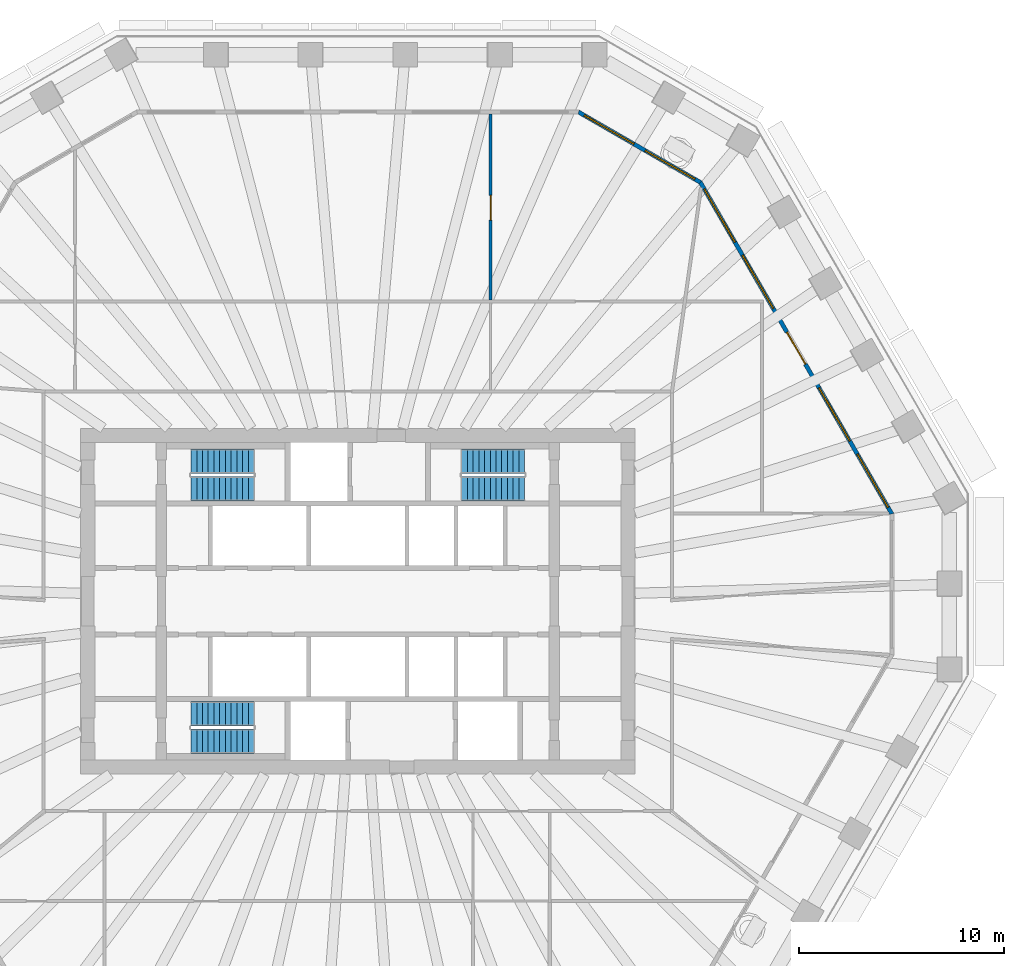
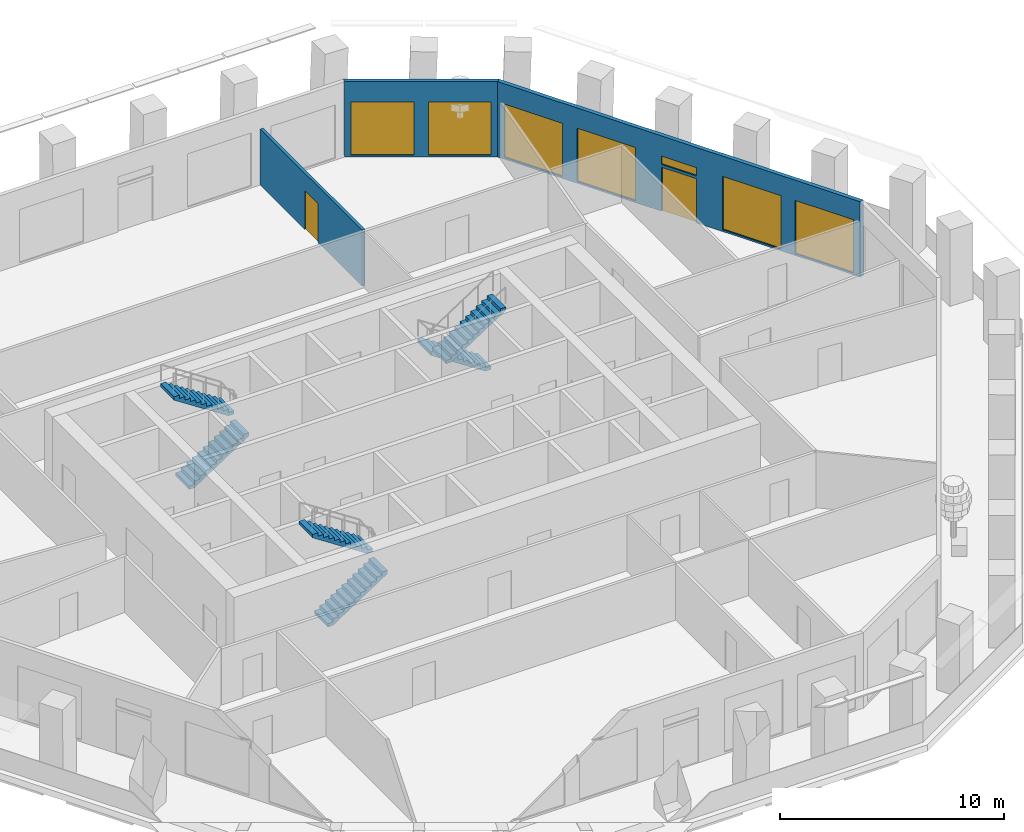
# One storey, part 8 of 12: 7 windows, 6 stair flights, 3 walls, 2 doors, 9 openings, 3 elements without a shape of their own.
"""IFC4 building model written with IfcOpenShell, lengths in metres."""

import ifcopenshell
import ifcopenshell.guid

model = None  # the IFC model being written
_history = None  # IfcOwnerHistory: only IFC2X3 demands one
_inside = {}  # id of a spatial element -> (the spatial element, [elements in it])
_under = {}  # id of a project, library or spatial element -> (it, [spatial elements below it])
_declared = {}  # id of a project -> (the project, [libraries it declares])
_typed = {}  # id of a type object -> (the type object, [elements of that type])
_made_of = {}  # id of a material, layer set ... -> (it, [elements and type objects made of it])


def new_model(schema):
    """Start an empty IFC model of exactly this schema.

    Asked for "IFC4X3", IfcOpenShell would pick the latest addendum, in which some entities
    have other attributes; the version numbers below select the first issue.
    IFC2X3 requires an IfcOwnerHistory on every rooted entity: one is made here for all.
    """
    global model, _history
    if schema == "IFC4X3":
        model = ifcopenshell.file(schema_version=(4, 3, 0, 0))
    else:
        model = ifcopenshell.file(schema=schema)
    _inside.clear()
    _under.clear()
    _declared.clear()
    _typed.clear()
    _made_of.clear()
    _history = None
    if model.schema == "IFC2X3":
        org = make("IfcOrganization", Name="unknown")
        user = make(
            "IfcPersonAndOrganization",
            ThePerson=make("IfcPerson", FamilyName="unknown"),
            TheOrganization=org,
        )
        app = make(
            "IfcApplication",
            ApplicationDeveloper=org,
            Version="unknown",
            ApplicationFullName="unknown",
            ApplicationIdentifier="unknown",
        )
        _history = make(
            "IfcOwnerHistory",
            OwningUser=user,
            OwningApplication=app,
            ChangeAction="ADDED",
            CreationDate=0,
        )
    return model


def make(cls, **values):
    """One entity of the class cls with the attributes given. An attribute that is None is left unset."""
    return model.create_entity(
        cls, **{name: value for name, value in values.items() if value is not None}
    )


def rooted(cls, **values):
    """An entity with a GlobalId (a new one), such as an element, a storey or a relation."""
    return make(cls, GlobalId=ifcopenshell.guid.new(), OwnerHistory=_history, **values)


def si_unit(unit_type, name, prefix=None):
    """IfcSIUnit, for example si_unit("LENGTHUNIT", "METRE", prefix="MILLI")."""
    return make("IfcSIUnit", UnitType=unit_type, Prefix=prefix, Name=name)


def assignment(units):
    """IfcUnitAssignment: the units of a project."""
    return None if units is None else make("IfcUnitAssignment", Units=units)


def point(xyz):
    """IfcCartesianPoint."""
    return None if xyz is None else make("IfcCartesianPoint", Coordinates=xyz)


def direction(xyz):
    """IfcDirection."""
    return None if xyz is None else make("IfcDirection", DirectionRatios=xyz)


def frame(location, z_axis=None, x_axis=None):
    """IfcAxis2Placement3D, a coordinate frame: its origin and axes. An axis left out is left unset."""
    return make(
        "IfcAxis2Placement3D",
        Location=point(location),
        Axis=direction(z_axis),
        RefDirection=direction(x_axis),
    )


def frame_2d(location, x_axis=None):
    """IfcAxis2Placement2D, a coordinate frame in the plane: its origin and x axis."""
    return make(
        "IfcAxis2Placement2D", Location=point(location), RefDirection=direction(x_axis)
    )


def origin():
    """The frame at (0, 0, 0) with its axes left unset."""
    return frame((0.0, 0.0, 0.0))


def place(relative_to, where):
    """IfcLocalPlacement: puts the frame where relative to a parent placement (None: the world)."""
    return make(
        "IfcLocalPlacement", PlacementRelTo=relative_to, RelativePlacement=where
    )


def context(
    kind, dimensions, precision=None, world=None, true_north=None, identifier=None
):
    """IfcGeometricRepresentationContext, for example the 3D "Model" context."""
    return make(
        "IfcGeometricRepresentationContext",
        ContextIdentifier=identifier,
        ContextType=kind,
        CoordinateSpaceDimension=dimensions,
        Precision=precision,
        WorldCoordinateSystem=world,
        TrueNorth=true_north,
    )


def subcontext(parent, identifier, kind, view, scale=None):
    """IfcGeometricRepresentationSubContext, for example "Body" below "Model"."""
    return make(
        "IfcGeometricRepresentationSubContext",
        ContextIdentifier=identifier,
        ContextType=kind,
        ParentContext=parent,
        TargetScale=scale,
        TargetView=view,
    )


def project(units=None, contexts=None):
    """IfcProject with its units and contexts."""
    return rooted(
        "IfcProject",
        Name="project",
        RepresentationContexts=contexts,
        UnitsInContext=assignment(units),
    )


def spatial(cls, under=None, at=None, **own):
    """A site, building, storey or space (cls), placed at a placement, below another one or the project."""
    s = rooted(cls, ObjectPlacement=at, **own)
    if under is not None:
        _under.setdefault(under.id(), (under, []))[1].append(s)
    return s


def polyline(points):
    """IfcPolyline through the points."""
    return make("IfcPolyline", Points=[point(p) for p in points])


def profile(cls, at=None, kind="AREA", **sizes):
    """A parametric profile (cls). Its sizes go by their IFC names, for example OverallWidth=200.0."""
    return make(cls, ProfileType=kind, Position=at, **sizes)


def rectangle(**sizes):
    """IfcRectangleProfileDef."""
    return profile("IfcRectangleProfileDef", **sizes)


def outline(outer, holes=None, kind="AREA"):
    """IfcArbitraryClosedProfileDef: a profile drawn as a closed curve; with holes, ...WithVoids."""
    if holes is None:
        return make("IfcArbitraryClosedProfileDef", ProfileType=kind, OuterCurve=outer)
    return make(
        "IfcArbitraryProfileDefWithVoids",
        ProfileType=kind,
        OuterCurve=outer,
        InnerCurves=holes,
    )


def extrude(swept, where, along, depth):
    """IfcExtrudedAreaSolid: the profile swept, set in the frame where, extruded along a direction by depth."""
    return make(
        "IfcExtrudedAreaSolid",
        SweptArea=swept,
        Position=where,
        ExtrudedDirection=direction(along),
        Depth=depth,
    )


def shape(context_of_items, identifier, shape_type, items):
    """IfcShapeRepresentation: the items that make up one representation, for example the "Body"."""
    return make(
        "IfcShapeRepresentation",
        ContextOfItems=context_of_items,
        RepresentationIdentifier=identifier,
        RepresentationType=shape_type,
        Items=items,
    )


def material(Name=None, Category=None):
    """IfcMaterial."""
    return make("IfcMaterial", Name=Name, Category=Category)


def layer(
    of_material, thickness, ventilated=None, Name=None, Category=None, Priority=None
):
    """IfcMaterialLayer: one layer of a wall or slab, of a material (None: an air gap)."""
    return make(
        "IfcMaterialLayer",
        Material=of_material,
        LayerThickness=thickness,
        IsVentilated=ventilated,
        Name=Name,
        Category=Category,
        Priority=Priority,
    )


def layer_set(layers, Name=None):
    """IfcMaterialLayerSet."""
    return make("IfcMaterialLayerSet", MaterialLayers=layers, LayerSetName=Name)


def made_of(thing, what):
    """Note that an element or type object is made of a material, layer set ...; save() writes the relation."""
    if what is not None:
        _made_of.setdefault(what.id(), (what, []))[1].append(thing)
    return thing


def type_object(cls, material=None, **own):
    """A type object (cls), such as IfcWallType, which elements share."""
    return made_of(rooted(cls, **own), material)


def element(
    cls,
    number,
    at=None,
    inside=None,
    cuts=None,
    type_object=None,
    material=None,
    context=None,
    identifier="Body",
    shape_type=None,
    held_by="IfcProductDefinitionShape",
    body=None,
    shapes=None,
    **own,
):
    """One element of the class cls, such as IfcWall. Its Tag is "e" and its number.

    at: its placement. inside: the storey or other place that contains it. cuts: it is an
    opening in that element (IfcRelVoidsElement). A single representation is given by context,
    identifier, shape_type and body (its items); several are given by shapes. held_by: the class
    of the entity that holds the representations. save() writes the other relations.
    """
    e = rooted(cls, Tag="e%d" % number, ObjectPlacement=at, **own)
    if body is not None:
        shapes = [shape(context, identifier, shape_type, body)]
    if shapes is not None:
        e.Representation = make(held_by, Representations=shapes)
    if inside is not None:
        _inside.setdefault(inside.id(), (inside, []))[1].append(e)
    if cuts is not None:
        rooted(
            "IfcRelVoidsElement", RelatingBuildingElement=cuts, RelatedOpeningElement=e
        )
    if type_object is not None:
        _typed.setdefault(type_object.id(), (type_object, []))[1].append(e)
    return made_of(e, material)


def fill(opening, filler):
    """IfcRelFillsElement: the door or window that sits in an opening."""
    return rooted(
        "IfcRelFillsElement",
        RelatingOpeningElement=opening,
        RelatedBuildingElement=filler,
    )


def aggregate(whole, parts):
    """IfcRelAggregates: a whole, such as a stair, and the parts it consists of."""
    return rooted("IfcRelAggregates", RelatingObject=whole, RelatedObjects=parts)


def save(model, path):
    """Write the relations noted so far, then the file.

    IfcRelAggregates (storeys below a building ...), IfcRelContainedInSpatialStructure (elements
    in a storey), IfcRelDefinesByType, IfcRelAssociatesMaterial and IfcRelDeclares: one each for
    every whole, place, type object, material and project.
    """
    for whole, parts in _under.values():
        aggregate(whole, parts)
    for where, things in _inside.values():
        rooted(
            "IfcRelContainedInSpatialStructure",
            RelatedElements=things,
            RelatingStructure=where,
        )
    for kind, things in _typed.values():
        rooted("IfcRelDefinesByType", RelatedObjects=things, RelatingType=kind)
    for what, things in _made_of.values():
        rooted("IfcRelAssociatesMaterial", RelatedObjects=things, RelatingMaterial=what)
    for by, libraries in _declared.values():
        rooted("IfcRelDeclares", RelatingContext=by, RelatedDefinitions=libraries)
    model.write(path)


model = new_model("IFC4")

# Units and contexts
model_context = context("Model", 3, precision=1e-05, world=origin(), true_north=direction((0.0, 1.0)))
body_context = subcontext(model_context, "Body", "Model", "MODEL_VIEW")
ifc_project = project(units=[si_unit("LENGTHUNIT", "METRE"), si_unit("AREAUNIT", "SQUARE_METRE"), si_unit("VOLUMEUNIT", "CUBIC_METRE"), si_unit("PLANEANGLEUNIT", "RADIAN"), si_unit("MASSUNIT", "GRAM", prefix="KILO")], contexts=[model_context])

# Site, building, storey
site_placement = place(None, origin())
site = spatial("IfcSite", under=ifc_project, at=site_placement, CompositionType="ELEMENT")
building_placement = place(site_placement, origin())
building = spatial("IfcBuilding", under=site, at=building_placement, Name="Frailejon Research Tower", CompositionType="ELEMENT")
storey_placement = place(building_placement, frame((0.0, 0.0, 171.60009765625)))
storey = spatial("IfcBuildingStorey", under=building, at=storey_placement, Name="L37", CompositionType="ELEMENT", Elevation=171.60009765625)

# Wall, opening, door
ifc_material_1 = material(Name="Gypsum board and masonry partition", Category="masonry")
ifc_layer_1 = layer(ifc_material_1, 0.14990234375)
ifc_layer_set_1 = layer_set([ifc_layer_1], Name="Laboratory partition, blockwork 150")
wall_type_1 = type_object("IfcWallType", Name="Laboratory partition, blockwork 150", PredefinedType="PARTITIONING", material=ifc_layer_set_1)
wall_1_placement = place(storey_placement, frame((6.488525390625, 14.72509765625, 0.0), z_axis=(0.0, 0.0, 1.0), x_axis=(0.0, 1.0, 0.0)))
wall_1 = element("IfcWall", 1, at=wall_1_placement, inside=storey, type_object=wall_type_1, Name="T:IW:L37:015", PredefinedType="PARTITIONING", context=body_context, shape_type="SweptSolid", body=[
    extrude(rectangle(XDim=9.074951171875, YDim=0.14990234375, at=frame_2d((4.53759765625, 0.0))), origin(), (0.0, 0.0, 1.0), 3.0498046875),
])
opening_1_placement = place(wall_1_placement, frame((3.89990234375, 0.0, 0.0)))
opening_1 = element("IfcOpeningElement", 2, at=opening_1_placement, cuts=wall_1, Name="Opening D1808", PredefinedType="OPENING", context=body_context, shape_type="SweptSolid", body=[
    extrude(rectangle(XDim=1.199951171875, YDim=2.10009765625, at=frame_2d((0.60009765625, 1.050048828125))), frame((0.0, 0.0849609375, 0.0), z_axis=(0.0, -1.0, 0.0), x_axis=(1.0, 0.0, 0.0)), (0.0, 0.0, 1.0), 0.169921875),
])
ifc_material_2 = material(Name="Timber door leaf", Category="wood")
door_type_1 = type_object("IfcDoorType", Name="Door laboratory, timber, vision panel 1200", OperationType="NOTDEFINED", PredefinedType="DOOR", material=ifc_material_2)
door_1_placement = place(opening_1_placement, origin())
door_1 = element("IfcDoor", 3, at=door_1_placement, inside=storey, type_object=door_type_1, Name="D1808", OperationType="DOUBLE_DOOR_SINGLE_SWING", OverallHeight=2.10009765625, OverallWidth=1.199951171875, PredefinedType="DOOR", context=body_context, shape_type="SweptSolid", body=[
    extrude(rectangle(XDim=1.199951171875, YDim=2.10009765625, at=frame_2d((0.60009765625, 1.050048828125))), frame((0.0, 0.02490234375, 0.0), z_axis=(0.0, -1.0, 0.0), x_axis=(1.0, 0.0, 0.0)), (0.0, 0.0, 1.0), 0.050048828125),
])
fill(opening_1, door_1)

# Wall, openings, door, windows
ifc_material_3 = material(Name="Concrete C40/50 precast window wall panel", Category="concrete")
ifc_layer_2 = layer(ifc_material_3, 0.199951171875)
ifc_layer_set_2 = layer_set([ifc_layer_2], Name="Window wall 200")
wall_type_2 = type_object("IfcWallType", Name="Window wall 200", PredefinedType="SOLIDWALL", material=ifc_layer_set_2)
wall_2_placement = place(storey_placement, frame((26.091796875, 4.26708984375, 0.0), z_axis=(0.0, 0.0, 1.0), x_axis=(-0.500003086107, 0.866023622012, 0.0)))
wall_2 = element("IfcWall", 4, at=wall_2_placement, inside=storey, type_object=wall_type_2, Name="Exterior wall L37", PredefinedType="SOLIDWALL", context=body_context, shape_type="SweptSolid", body=[
    extrude(outline(polyline([(-0.02685546875, -0.10009765625), (1.01513671875, -0.10009765625), (2.05712890625, -0.10009765625), (3.098876953125, -0.10009765625), (4.140869140625, -0.10009765625), (5.182861328125, -0.10009765625), (6.224853515625, -0.10009765625), (7.2666015625, -0.10009765625), (8.30859375, -0.10009765625), (9.3505859375, -0.10009765625), (10.392578125, -0.10009765625), (11.4345703125, -0.10009765625), (12.476318359375, -0.10009765625), (13.518310546875, -0.10009765625), (14.560302734375, -0.10009765625), (15.602294921875, -0.10009765625), (16.64404296875, -0.10009765625), (17.68603515625, -0.10009765625), (18.72802734375, -0.10009765625), (18.67431640625, 0.10009765625), (17.638427734375, 0.10009765625), (16.602294921875, 0.10009765625), (15.56640625, 0.10009765625), (14.530517578125, 0.10009765625), (13.494384765625, 0.10009765625), (12.45849609375, 0.10009765625), (11.422607421875, 0.10009765625), (10.386474609375, 0.10009765625), (9.3505859375, 0.10009765625), (8.314697265625, 0.10009765625), (7.278564453125, 0.10009765625), (6.24267578125, 0.10009765625), (5.206787109375, 0.10009765625), (4.170654296875, 0.10009765625), (3.134765625, 0.10009765625), (2.098876953125, 0.10009765625), (1.062744140625, 0.10009765625), (0.02685546875, 0.10009765625), (-0.02685546875, -0.10009765625)])), origin(), (0.0, 0.0, 1.0), 4.099853515625),
])
opening_2_placement = place(wall_2_placement, frame((0.3701171875, 0.0, 0.10009765625)))
opening_2 = element("IfcOpeningElement", 5, at=opening_2_placement, cuts=wall_2, Name="Opening W4", PredefinedType="OPENING", context=body_context, shape_type="SweptSolid", body=[
    extrude(rectangle(XDim=3.0, YDim=2.89990234375, at=frame_2d((1.5, 1.449951171875))), frame((0.0, 0.10986328125, 0.0), z_axis=(0.0, -1.0, 0.0), x_axis=(1.0, 0.0, 0.0)), (0.0, 0.0, 1.0), 0.219970703125),
])
opening_3_placement = place(wall_2_placement, frame((4.1103515625, 0.0, 0.10009765625)))
opening_3 = element("IfcOpeningElement", 6, at=opening_3_placement, cuts=wall_2, Name="Opening W4", PredefinedType="OPENING", context=body_context, shape_type="SweptSolid", body=[
    extrude(rectangle(XDim=3.0, YDim=2.89990234375, at=frame_2d((1.5, 1.449951171875))), frame((0.0, 0.10986328125, 0.0), z_axis=(0.0, -1.0, 0.0), x_axis=(1.0, 0.0, 0.0)), (0.0, 0.0, 1.0), 0.219970703125),
])
opening_4_placement = place(wall_2_placement, frame((8.45068359375, 0.0, 0.0)))
opening_4 = element("IfcOpeningElement", 7, at=opening_4_placement, cuts=wall_2, Name="Opening LG37-1", PredefinedType="OPENING", context=body_context, shape_type="SweptSolid", body=[
    extrude(rectangle(XDim=1.800048828125, YDim=2.39990234375, at=frame_2d((0.89990234375, 1.199951171875))), frame((0.0, 0.10986328125, 0.0), z_axis=(0.0, -1.0, 0.0), x_axis=(1.0, 0.0, 0.0)), (0.0, 0.0, 1.0), 0.219970703125),
])
opening_5_placement = place(wall_2_placement, frame((8.45068359375, 0.0, 2.550048828125)))
opening_5 = element("IfcOpeningElement", 8, at=opening_5_placement, cuts=wall_2, Name="Opening W1", PredefinedType="OPENING", context=body_context, shape_type="SweptSolid", body=[
    extrude(rectangle(XDim=1.800048828125, YDim=0.449951171875, at=frame_2d((0.89990234375, 0.22509765625))), frame((0.0, 0.10986328125, 0.0), z_axis=(0.0, -1.0, 0.0), x_axis=(1.0, 0.0, 0.0)), (0.0, 0.0, 1.0), 0.219970703125),
])
opening_6_placement = place(wall_2_placement, frame((11.5908203125, 0.0, 0.10009765625)))
opening_6 = element("IfcOpeningElement", 9, at=opening_6_placement, cuts=wall_2, Name="Opening W4", PredefinedType="OPENING", context=body_context, shape_type="SweptSolid", body=[
    extrude(rectangle(XDim=3.0, YDim=2.89990234375, at=frame_2d((1.5, 1.449951171875))), frame((0.0, 0.10986328125, 0.0), z_axis=(0.0, -1.0, 0.0), x_axis=(1.0, 0.0, 0.0)), (0.0, 0.0, 1.0), 0.219970703125),
])
opening_7_placement = place(wall_2_placement, frame((15.3310546875, 0.0, 0.10009765625)))
opening_7 = element("IfcOpeningElement", 10, at=opening_7_placement, cuts=wall_2, Name="Opening W4", PredefinedType="OPENING", context=body_context, shape_type="SweptSolid", body=[
    extrude(rectangle(XDim=3.0, YDim=2.89990234375, at=frame_2d((1.5, 1.449951171875))), frame((0.0, 0.10986328125, 0.0), z_axis=(0.0, -1.0, 0.0), x_axis=(1.0, 0.0, 0.0)), (0.0, 0.0, 1.0), 0.219970703125),
])
ifc_material_4 = material(Name="Aluminium framed glazed door leaf", Category="aluminium")
door_type_2 = type_object("IfcDoorType", Name="Loggia door 1800x2400", OperationType="DOUBLE_DOOR_SINGLE_SWING", PredefinedType="DOOR", material=ifc_material_4)
door_2_placement = place(opening_4_placement, origin())
door_2 = element("IfcDoor", 11, at=door_2_placement, inside=storey, type_object=door_type_2, Name="Door LG37-1", OperationType="DOUBLE_DOOR_SINGLE_SWING", OverallHeight=2.39990234375, OverallWidth=1.800048828125, PredefinedType="DOOR", context=body_context, shape_type="SweptSolid", body=[
    extrude(rectangle(XDim=1.800048828125, YDim=2.39990234375, at=frame_2d((0.89990234375, 1.199951171875))), frame((0.0, 0.02490234375, 0.0), z_axis=(0.0, -1.0, 0.0), x_axis=(1.0, 0.0, 0.0)), (0.0, 0.0, 1.0), 0.050048828125),
])
fill(opening_4, door_2)
ifc_material_5 = material(Name="Aluminium framed double glazing", Category="aluminium")
window_type_1 = type_object("IfcWindowType", Name="Window 1800x450", PartitioningType="SINGLE_PANEL", PredefinedType="WINDOW", material=ifc_material_5)
window_1_placement = place(opening_5_placement, origin())
window_1 = element("IfcWindow", 12, at=window_1_placement, inside=storey, type_object=window_type_1, Name="Window L37", OverallHeight=0.449951171875, OverallWidth=1.800048828125, PartitioningType="SINGLE_PANEL", PredefinedType="WINDOW", context=body_context, shape_type="SweptSolid", body=[
    extrude(rectangle(XDim=1.800048828125, YDim=0.449951171875, at=frame_2d((0.89990234375, 0.22509765625))), frame((0.0, 0.030029296875, 0.0), z_axis=(0.0, -1.0, 0.0), x_axis=(1.0, 0.0, 0.0)), (0.0, 0.0, 1.0), 0.06005859375),
])
fill(opening_5, window_1)
ifc_material_6 = material(Name="Aluminium framed double glazing", Category="aluminium")
window_type_2 = type_object("IfcWindowType", Name="Window 3000x2900", PartitioningType="SINGLE_PANEL", PredefinedType="WINDOW", material=ifc_material_6)
window_2_placement = place(opening_2_placement, origin())
window_2 = element("IfcWindow", 13, at=window_2_placement, inside=storey, type_object=window_type_2, Name="Window L37", OverallHeight=2.89990234375, OverallWidth=3.0, PartitioningType="SINGLE_PANEL", PredefinedType="WINDOW", context=body_context, shape_type="SweptSolid", body=[
    extrude(rectangle(XDim=3.0, YDim=2.89990234375, at=frame_2d((1.5, 1.449951171875))), frame((0.0, 0.030029296875, 0.0), z_axis=(0.0, -1.0, 0.0), x_axis=(1.0, 0.0, 0.0)), (0.0, 0.0, 1.0), 0.06005859375),
])
fill(opening_2, window_2)
window_3_placement = place(opening_3_placement, origin())
window_3 = element("IfcWindow", 14, at=window_3_placement, inside=storey, type_object=window_type_2, Name="Window L37", OverallHeight=2.89990234375, OverallWidth=3.0, PartitioningType="SINGLE_PANEL", PredefinedType="WINDOW", context=body_context, shape_type="SweptSolid", body=[
    extrude(rectangle(XDim=3.0, YDim=2.89990234375, at=frame_2d((1.5, 1.449951171875))), frame((0.0, 0.030029296875, 0.0), z_axis=(0.0, -1.0, 0.0), x_axis=(1.0, 0.0, 0.0)), (0.0, 0.0, 1.0), 0.06005859375),
])
fill(opening_3, window_3)
window_4_placement = place(opening_6_placement, origin())
window_4 = element("IfcWindow", 15, at=window_4_placement, inside=storey, type_object=window_type_2, Name="Window L37", OverallHeight=2.89990234375, OverallWidth=3.0, PartitioningType="SINGLE_PANEL", PredefinedType="WINDOW", context=body_context, shape_type="SweptSolid", body=[
    extrude(rectangle(XDim=3.0, YDim=2.89990234375, at=frame_2d((1.5, 1.449951171875))), frame((0.0, 0.030029296875, 0.0), z_axis=(0.0, -1.0, 0.0), x_axis=(1.0, 0.0, 0.0)), (0.0, 0.0, 1.0), 0.06005859375),
])
fill(opening_6, window_4)
window_5_placement = place(opening_7_placement, origin())
window_5 = element("IfcWindow", 16, at=window_5_placement, inside=storey, type_object=window_type_2, Name="Window L37", OverallHeight=2.89990234375, OverallWidth=3.0, PartitioningType="SINGLE_PANEL", PredefinedType="WINDOW", context=body_context, shape_type="SweptSolid", body=[
    extrude(rectangle(XDim=3.0, YDim=2.89990234375, at=frame_2d((1.5, 1.449951171875))), frame((0.0, 0.030029296875, 0.0), z_axis=(0.0, -1.0, 0.0), x_axis=(1.0, 0.0, 0.0)), (0.0, 0.0, 1.0), 0.06005859375),
])
fill(opening_7, window_5)

# Wall, openings, windows
wall_3_placement = place(storey_placement, frame((16.7412109375, 20.462646484375, 0.0), z_axis=(0.0, 0.0, 1.0), x_axis=(-0.866029458321, 0.49999297727, 0.0)))
wall_3 = element("IfcWall", 17, at=wall_3_placement, inside=storey, type_object=wall_type_2, Name="Exterior wall L37", PredefinedType="SOLIDWALL", context=body_context, shape_type="SweptSolid", body=[
    extrude(outline(polyline([(-0.02685546875, -0.10009765625), (1.1279296875, -0.10009765625), (2.282470703125, -0.10009765625), (3.437255859375, -0.10009765625), (4.592041015625, -0.10009765625), (5.74658203125, -0.10009765625), (6.9013671875, -0.10009765625), (6.84765625, 0.10009765625), (5.7109375, 0.10009765625), (4.573974609375, 0.10009765625), (3.437255859375, 0.10009765625), (2.300537109375, 0.10009765625), (1.16357421875, 0.10009765625), (0.02685546875, 0.10009765625), (-0.02685546875, -0.10009765625)])), origin(), (0.0, 0.0, 1.0), 4.099853515625),
])
opening_8_placement = place(wall_3_placement, frame((0.318603515625, 0.0, 0.10009765625)))
opening_8 = element("IfcOpeningElement", 18, at=opening_8_placement, cuts=wall_3, Name="Opening W3", PredefinedType="OPENING", context=body_context, shape_type="SweptSolid", body=[
    extrude(rectangle(XDim=2.800048828125, YDim=2.89990234375, at=frame_2d((1.39990234375, 1.449951171875))), frame((0.0, 0.10986328125, 0.0), z_axis=(0.0, -1.0, 0.0), x_axis=(1.0, 0.0, 0.0)), (0.0, 0.0, 1.0), 0.219970703125),
])
opening_9_placement = place(wall_3_placement, frame((3.756103515625, 0.0, 0.10009765625)))
opening_9 = element("IfcOpeningElement", 19, at=opening_9_placement, cuts=wall_3, Name="Opening W3", PredefinedType="OPENING", context=body_context, shape_type="SweptSolid", body=[
    extrude(rectangle(XDim=2.800048828125, YDim=2.89990234375, at=frame_2d((1.39990234375, 1.449951171875))), frame((0.0, 0.10986328125, 0.0), z_axis=(0.0, -1.0, 0.0), x_axis=(1.0, 0.0, 0.0)), (0.0, 0.0, 1.0), 0.219970703125),
])
ifc_material_7 = material(Name="Aluminium framed double glazing", Category="aluminium")
window_type_3 = type_object("IfcWindowType", Name="Window 2800x2900", PartitioningType="SINGLE_PANEL", PredefinedType="WINDOW", material=ifc_material_7)
window_6_placement = place(opening_8_placement, origin())
window_6 = element("IfcWindow", 20, at=window_6_placement, inside=storey, type_object=window_type_3, Name="Window L37", OverallHeight=2.89990234375, OverallWidth=2.800048828125, PartitioningType="SINGLE_PANEL", PredefinedType="WINDOW", context=body_context, shape_type="SweptSolid", body=[
    extrude(rectangle(XDim=2.800048828125, YDim=2.89990234375, at=frame_2d((1.39990234375, 1.449951171875))), frame((0.0, 0.030029296875, 0.0), z_axis=(0.0, -1.0, 0.0), x_axis=(1.0, 0.0, 0.0)), (0.0, 0.0, 1.0), 0.06005859375),
])
fill(opening_8, window_6)
window_7_placement = place(opening_9_placement, origin())
window_7 = element("IfcWindow", 21, at=window_7_placement, inside=storey, type_object=window_type_3, Name="Window L37", OverallHeight=2.89990234375, OverallWidth=2.800048828125, PartitioningType="SINGLE_PANEL", PredefinedType="WINDOW", context=body_context, shape_type="SweptSolid", body=[
    extrude(rectangle(XDim=2.800048828125, YDim=2.89990234375, at=frame_2d((1.39990234375, 1.449951171875))), frame((0.0, 0.030029296875, 0.0), z_axis=(0.0, -1.0, 0.0), x_axis=(1.0, 0.0, 0.0)), (0.0, 0.0, 1.0), 0.06005859375),
])
fill(opening_9, window_7)

# Stair, stair flights
ifc_material_8 = material(Name="Concrete C50/60", Category="concrete")
stair_type = type_object("IfcStairType", Name="Exit stair 24 risers", PredefinedType="HALF_TURN_STAIR", material=ifc_material_8)
stair_1_placement = place(storey_placement, origin())
stair_1 = element("IfcStair", 22, at=stair_1_placement, inside=storey, type_object=stair_type, Name="L37 Exit stair ST1", PredefinedType="HALF_TURN_STAIR")
ifc_material_9 = material(Name="Concrete C50/60", Category="concrete")
ifc_layer_3 = layer(ifc_material_9, 0.14990234375)
ifc_layer_set_3 = layer_set([ifc_layer_3], Name="Stair flight 12 risers")
stair_flight_type = type_object("IfcStairFlightType", Name="Stair flight 12 risers", PredefinedType="STRAIGHT", material=ifc_layer_set_3)
stair_flight_1_placement = place(storey_placement, frame((-8.14990234375, 5.5, 0.0), z_axis=(0.0, 0.0, 1.0), x_axis=(1.0, 0.0, 0.0)))
stair_flight_1 = element("IfcStairFlight", 23, at=stair_flight_1_placement, type_object=stair_flight_type, Name="ST1 flight 1", NumberOfRisers=12, NumberOfTreads=11, PredefinedType="STRAIGHT", RiserHeight=0.183333333, TreadLength=0.28, context=body_context, shape_type="SweptSolid", body=[
    extrude(outline(polyline([(0.0, 0.0), (0.0, 0.183349609375), (0.280029296875, 0.183349609375), (0.280029296875, 0.36669921875), (0.56005859375, 0.36669921875), (0.56005859375, 0.550048828125), (0.840087890625, 0.550048828125), (0.840087890625, 0.7333984375), (1.1201171875, 0.7333984375), (1.1201171875, 0.916748046875), (1.39990234375, 0.916748046875), (1.39990234375, 1.10009765625), (1.679931640625, 1.10009765625), (1.679931640625, 1.283447265625), (1.9599609375, 1.283447265625), (1.9599609375, 1.466552734375), (2.239990234375, 1.466552734375), (2.239990234375, 1.64990234375), (2.52001953125, 1.64990234375), (2.52001953125, 1.833251953125), (2.800048828125, 1.833251953125), (2.800048828125, 2.0166015625), (3.080078125, 2.0166015625), (3.080078125, 2.199951171875), (3.080078125, 1.83740234375), (0.273681640625, 0.0), (0.0, 0.0)])), frame((0.0, 0.60009765625, 0.0), z_axis=(0.0, -1.0, 0.0), x_axis=(1.0, 0.0, 0.0)), (0.0, 0.0, 1.0), 1.199951171875),
])
stair_flight_2_placement = place(storey_placement, frame((-5.070068359375, 6.85009765625, 2.199951171875), z_axis=(0.0, 0.0, 1.0), x_axis=(-1.0, 0.0, 0.0)))
stair_flight_2 = element("IfcStairFlight", 24, at=stair_flight_2_placement, type_object=stair_flight_type, Name="ST1 flight 2", NumberOfRisers=12, NumberOfTreads=11, PredefinedType="STRAIGHT", RiserHeight=0.183333333, TreadLength=0.28, context=body_context, shape_type="SweptSolid", body=[
    extrude(outline(polyline([(0.0, 0.0), (0.0, 0.183349609375), (0.280029296875, 0.183349609375), (0.280029296875, 0.36669921875), (0.56005859375, 0.36669921875), (0.56005859375, 0.550048828125), (0.840087890625, 0.550048828125), (0.840087890625, 0.7333984375), (1.1201171875, 0.7333984375), (1.1201171875, 0.916748046875), (1.39990234375, 0.916748046875), (1.39990234375, 1.10009765625), (1.679931640625, 1.10009765625), (1.679931640625, 1.283447265625), (1.9599609375, 1.283447265625), (1.9599609375, 1.466552734375), (2.239990234375, 1.466552734375), (2.239990234375, 1.64990234375), (2.52001953125, 1.64990234375), (2.52001953125, 1.833251953125), (2.800048828125, 1.833251953125), (2.800048828125, 2.0166015625), (3.080078125, 2.0166015625), (3.080078125, 2.199951171875), (3.080078125, 1.83740234375), (0.273681640625, 0.0), (0.0, 0.0)])), frame((0.0, 0.60009765625, 0.0), z_axis=(0.0, -1.0, 0.0), x_axis=(1.0, 0.0, 0.0)), (0.0, 0.0, 1.0), 1.199951171875),
])
aggregate(stair_1, [stair_flight_1, stair_flight_2])

stair_2_placement = place(storey_placement, origin())
stair_2 = element("IfcStair", 25, at=stair_2_placement, inside=storey, type_object=stair_type, Name="L37 Exit stair ST2", PredefinedType="HALF_TURN_STAIR")
stair_flight_3_placement = place(storey_placement, frame((-8.14990234375, -6.85009765625, 0.0), z_axis=(0.0, 0.0, 1.0), x_axis=(1.0, 0.0, 0.0)))
stair_flight_3 = element("IfcStairFlight", 26, at=stair_flight_3_placement, type_object=stair_flight_type, Name="ST2 flight 1", NumberOfRisers=12, NumberOfTreads=11, PredefinedType="STRAIGHT", RiserHeight=0.183333333, TreadLength=0.28, context=body_context, shape_type="SweptSolid", body=[
    extrude(outline(polyline([(0.0, 0.0), (0.0, 0.183349609375), (0.280029296875, 0.183349609375), (0.280029296875, 0.36669921875), (0.56005859375, 0.36669921875), (0.56005859375, 0.550048828125), (0.840087890625, 0.550048828125), (0.840087890625, 0.7333984375), (1.1201171875, 0.7333984375), (1.1201171875, 0.916748046875), (1.39990234375, 0.916748046875), (1.39990234375, 1.10009765625), (1.679931640625, 1.10009765625), (1.679931640625, 1.283447265625), (1.9599609375, 1.283447265625), (1.9599609375, 1.466552734375), (2.239990234375, 1.466552734375), (2.239990234375, 1.64990234375), (2.52001953125, 1.64990234375), (2.52001953125, 1.833251953125), (2.800048828125, 1.833251953125), (2.800048828125, 2.0166015625), (3.080078125, 2.0166015625), (3.080078125, 2.199951171875), (3.080078125, 1.83740234375), (0.273681640625, 0.0), (0.0, 0.0)])), frame((0.0, 0.60009765625, 0.0), z_axis=(0.0, -1.0, 0.0), x_axis=(1.0, 0.0, 0.0)), (0.0, 0.0, 1.0), 1.199951171875),
])
stair_flight_4_placement = place(storey_placement, frame((-5.070068359375, -5.5, 2.199951171875), z_axis=(0.0, 0.0, 1.0), x_axis=(-1.0, 0.0, 0.0)))
stair_flight_4 = element("IfcStairFlight", 27, at=stair_flight_4_placement, type_object=stair_flight_type, Name="ST2 flight 2", NumberOfRisers=12, NumberOfTreads=11, PredefinedType="STRAIGHT", RiserHeight=0.183333333, TreadLength=0.28, context=body_context, shape_type="SweptSolid", body=[
    extrude(outline(polyline([(0.0, 0.0), (0.0, 0.183349609375), (0.280029296875, 0.183349609375), (0.280029296875, 0.36669921875), (0.56005859375, 0.36669921875), (0.56005859375, 0.550048828125), (0.840087890625, 0.550048828125), (0.840087890625, 0.7333984375), (1.1201171875, 0.7333984375), (1.1201171875, 0.916748046875), (1.39990234375, 0.916748046875), (1.39990234375, 1.10009765625), (1.679931640625, 1.10009765625), (1.679931640625, 1.283447265625), (1.9599609375, 1.283447265625), (1.9599609375, 1.466552734375), (2.239990234375, 1.466552734375), (2.239990234375, 1.64990234375), (2.52001953125, 1.64990234375), (2.52001953125, 1.833251953125), (2.800048828125, 1.833251953125), (2.800048828125, 2.0166015625), (3.080078125, 2.0166015625), (3.080078125, 2.199951171875), (3.080078125, 1.83740234375), (0.273681640625, 0.0), (0.0, 0.0)])), frame((0.0, 0.60009765625, 0.0), z_axis=(0.0, -1.0, 0.0), x_axis=(1.0, 0.0, 0.0)), (0.0, 0.0, 1.0), 1.199951171875),
])
aggregate(stair_2, [stair_flight_3, stair_flight_4])

stair_3_placement = place(storey_placement, origin())
stair_3 = element("IfcStair", 28, at=stair_3_placement, inside=storey, type_object=stair_type, Name="L37 Exit stair ST3", PredefinedType="HALF_TURN_STAIR")
stair_flight_5_placement = place(storey_placement, frame((8.14990234375, 6.85009765625, 0.0), z_axis=(0.0, 0.0, 1.0), x_axis=(-1.0, 0.0, 0.0)))
stair_flight_5 = element("IfcStairFlight", 29, at=stair_flight_5_placement, type_object=stair_flight_type, Name="ST3 flight 1", NumberOfRisers=12, NumberOfTreads=11, PredefinedType="STRAIGHT", RiserHeight=0.183333333, TreadLength=0.28, context=body_context, shape_type="SweptSolid", body=[
    extrude(outline(polyline([(0.0, 0.0), (0.0, 0.183349609375), (0.280029296875, 0.183349609375), (0.280029296875, 0.36669921875), (0.56005859375, 0.36669921875), (0.56005859375, 0.550048828125), (0.840087890625, 0.550048828125), (0.840087890625, 0.7333984375), (1.1201171875, 0.7333984375), (1.1201171875, 0.916748046875), (1.39990234375, 0.916748046875), (1.39990234375, 1.10009765625), (1.679931640625, 1.10009765625), (1.679931640625, 1.283447265625), (1.9599609375, 1.283447265625), (1.9599609375, 1.466552734375), (2.239990234375, 1.466552734375), (2.239990234375, 1.64990234375), (2.52001953125, 1.64990234375), (2.52001953125, 1.833251953125), (2.800048828125, 1.833251953125), (2.800048828125, 2.0166015625), (3.080078125, 2.0166015625), (3.080078125, 2.199951171875), (3.080078125, 1.83740234375), (0.273681640625, 0.0), (0.0, 0.0)])), frame((0.0, 0.60009765625, 0.0), z_axis=(0.0, -1.0, 0.0), x_axis=(1.0, 0.0, 0.0)), (0.0, 0.0, 1.0), 1.199951171875),
])
stair_flight_6_placement = place(storey_placement, frame((5.070068359375, 5.5, 2.199951171875), z_axis=(0.0, 0.0, 1.0), x_axis=(1.0, 0.0, 0.0)))
stair_flight_6 = element("IfcStairFlight", 30, at=stair_flight_6_placement, type_object=stair_flight_type, Name="ST3 flight 2", NumberOfRisers=12, NumberOfTreads=11, PredefinedType="STRAIGHT", RiserHeight=0.183333333, TreadLength=0.28, context=body_context, shape_type="SweptSolid", body=[
    extrude(outline(polyline([(0.0, 0.0), (0.0, 0.183349609375), (0.280029296875, 0.183349609375), (0.280029296875, 0.36669921875), (0.56005859375, 0.36669921875), (0.56005859375, 0.550048828125), (0.840087890625, 0.550048828125), (0.840087890625, 0.7333984375), (1.1201171875, 0.7333984375), (1.1201171875, 0.916748046875), (1.39990234375, 0.916748046875), (1.39990234375, 1.10009765625), (1.679931640625, 1.10009765625), (1.679931640625, 1.283447265625), (1.9599609375, 1.283447265625), (1.9599609375, 1.466552734375), (2.239990234375, 1.466552734375), (2.239990234375, 1.64990234375), (2.52001953125, 1.64990234375), (2.52001953125, 1.833251953125), (2.800048828125, 1.833251953125), (2.800048828125, 2.0166015625), (3.080078125, 2.0166015625), (3.080078125, 2.199951171875), (3.080078125, 1.83740234375), (0.273681640625, 0.0), (0.0, 0.0)])), frame((0.0, 0.60009765625, 0.0), z_axis=(0.0, -1.0, 0.0), x_axis=(1.0, 0.0, 0.0)), (0.0, 0.0, 1.0), 1.199951171875),
])
aggregate(stair_3, [stair_flight_5, stair_flight_6])

save(model, "model.ifc")
